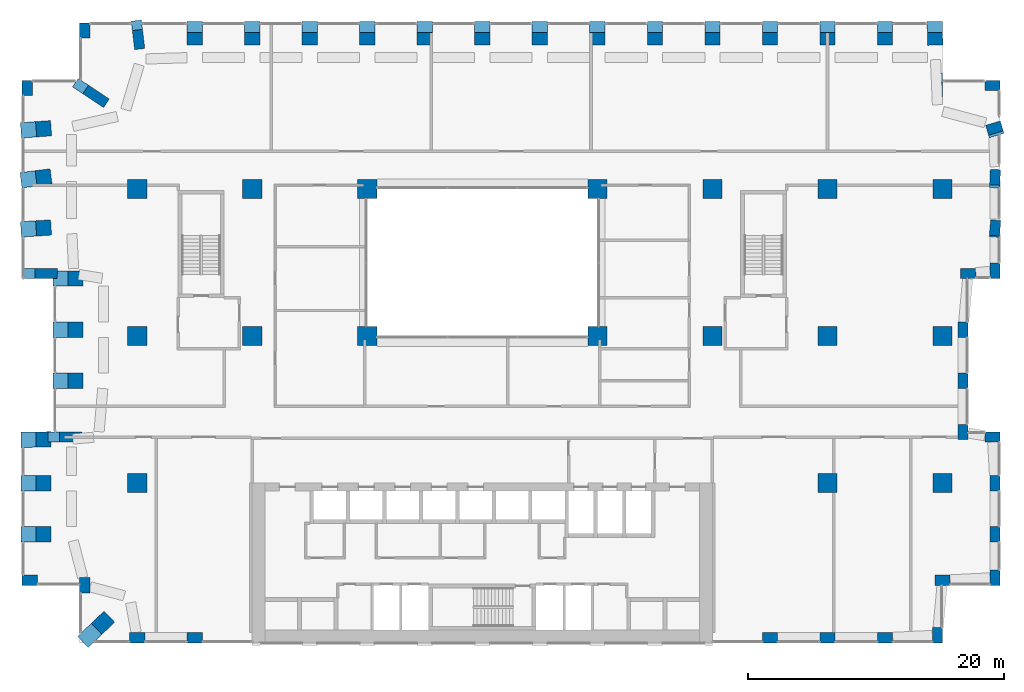
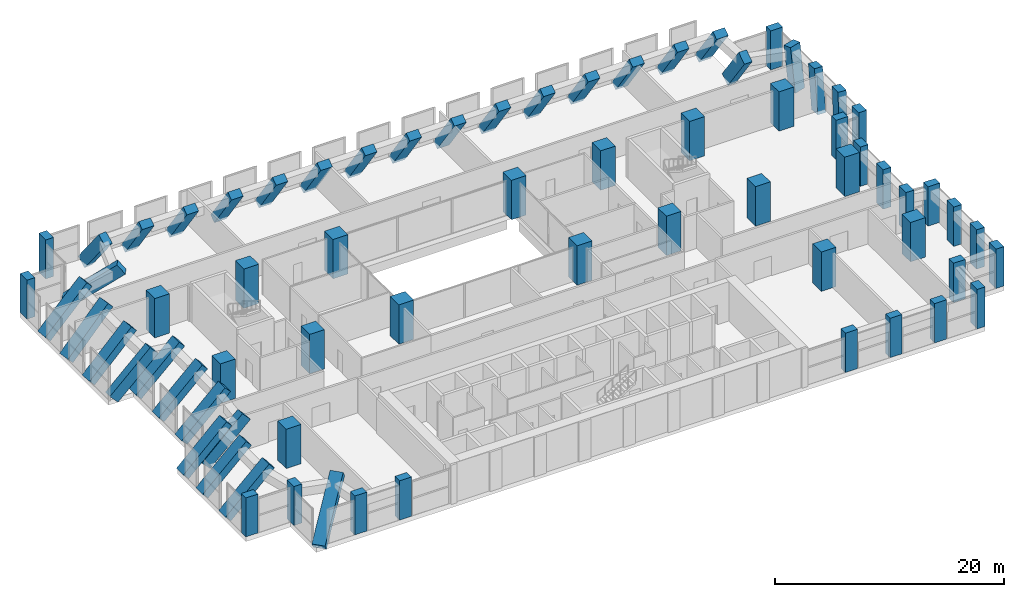
# One storey, part 1 of 20: 70 columns.
"""IFC4 building model written with IfcOpenShell, lengths in metres."""

from ifc_helpers import new_model, si_unit, direction, frame, origin, origin_2d, place, context, subcontext, project, spatial, rectangle, extrude, material, material_profile, profile_set, type_object, element, save


model = new_model("IFC4")

# Units and contexts
model_context = context("Model", 3, precision=1e-05, world=origin(), true_north=direction((0.0, 1.0)))
body_context = subcontext(model_context, "Body", "Model", "MODEL_VIEW")
ifc_project = project(units=[si_unit("LENGTHUNIT", "METRE"), si_unit("AREAUNIT", "SQUARE_METRE"), si_unit("VOLUMEUNIT", "CUBIC_METRE"), si_unit("PLANEANGLEUNIT", "RADIAN"), si_unit("MASSUNIT", "GRAM", prefix="KILO")], contexts=[model_context])

# Site, building, storey
site_placement = place(None, origin())
site = spatial("IfcSite", under=ifc_project, at=site_placement, CompositionType="ELEMENT")
building_placement = place(site_placement, origin())
building = spatial("IfcBuilding", under=site, at=building_placement, Name="Brigalow Station Residences", CompositionType="ELEMENT")
storey_placement = place(building_placement, frame((0.0, 0.0, 73.050048828125)))
storey = spatial("IfcBuildingStorey", under=building, at=storey_placement, Name="L21", CompositionType="ELEMENT", Elevation=73.050048828125)

# Columns
ifc_material_1 = material(Name="Concrete C80", Category="concrete")
ifc_material_profile_1 = material_profile(ifc_material_1, rectangle(XDim=1.5, YDim=1.5, at=origin_2d()), Name="RC1500x1500")
ifc_profile_set_1 = profile_set([ifc_material_profile_1], Name="Concrete C80")
column_type_1 = type_object("IfcColumnType", Name="COLUMN 1500x1500 C80", PredefinedType="COLUMN", material=ifc_profile_set_1)
for number, where, z_axis, x_axis, name in (
    (1, (9.0, 24.0, 0.0), (0.0, 0.0, 1.0), (1.0, 0.0, 0.0), "COLUMN C1 L21"),
    (2, (18.0, 24.0, 0.0), (0.0, 0.0, 1.0), (1.0, 0.0, 0.0), "COLUMN C2 L21"),
    (3, (27.0, 24.0, 0.0), (0.0, 0.0, 1.0), (1.0, 0.0, 0.0), "COLUMN C3 L21"),
    (4, (45.0, 24.0, 0.0), (0.0, 0.0, 1.0), (1.0, 0.0, 0.0), "COLUMN C5 L21"),
    (5, (54.0, 24.0, 0.0), (0.0, 0.0, 1.0), (1.0, 0.0, 0.0), "COLUMN C6 L21"),
    (6, (63.0, 24.0, 0.0), (0.0, 0.0, 1.0), (1.0, 0.0, 0.0), "COLUMN C7 L21"),
    (7, (72.0, 24.0, 0.0), (0.0, 0.0, 1.0), (1.0, 0.0, 0.0), "COLUMN C8 L21"),
    (8, (9.0, 35.5, 0.0), (0.0, 0.0, 1.0), (1.0, 0.0, 0.0), "COLUMN D1 L21"),
    (9, (18.0, 35.5, 0.0), (0.0, 0.0, 1.0), (1.0, 0.0, 0.0), "COLUMN D2 L21"),
    (10, (27.0, 35.5, 0.0), (0.0, 0.0, 1.0), (1.0, 0.0, 0.0), "COLUMN D3 L21"),
    (11, (45.0, 35.5, 0.0), (0.0, 0.0, 1.0), (1.0, 0.0, 0.0), "COLUMN D5 L21"),
    (12, (54.0, 35.5, 0.0), (0.0, 0.0, 1.0), (1.0, 0.0, 0.0), "COLUMN D6 L21"),
    (13, (63.0, 35.5, 0.0), (0.0, 0.0, 1.0), (1.0, 0.0, 0.0), "COLUMN D7 L21"),
    (14, (72.0, 35.5, 0.0), (0.0, 0.0, 1.0), (1.0, 0.0, 0.0), "COLUMN D8 L21"),
    (15, (9.0, 12.5, 0.0), (0.0, 0.0, 1.0), (1.0, 0.0, 0.0), "COLUMN B1 L21"),
    (16, (63.0, 12.5, 0.0), (0.0, 0.0, 1.0), (1.0, 0.0, 0.0), "COLUMN B7 L21"),
    (17, (72.0, 12.5, 0.0), (0.0, 0.0, 1.0), (1.0, 0.0, 0.0), "COLUMN B8 L21"),
):
    element("IfcColumn", number, at=place(storey_placement, frame(where, z_axis=z_axis, x_axis=x_axis)), inside=storey, type_object=column_type_1, Name=name, PredefinedType="COLUMN", context=body_context, shape_type="SweptSolid", body=[
        extrude(rectangle(XDim=1.5, YDim=1.5, at=origin_2d()), origin(), (0.0, 0.0, 1.0), 4.199951171875),
    ])
ifc_material_2 = material(Name="Concrete C80", Category="concrete")
ifc_material_profile_2 = material_profile(ifc_material_2, rectangle(XDim=1.199951171875, YDim=0.800048828125, at=origin_2d()), Name="RC1200x800")
ifc_profile_set_2 = profile_set([ifc_material_profile_2], Name="Concrete C80")
column_type_2 = type_object("IfcColumnType", Name="KINK COLUMN 1200x800 C80", PredefinedType="USERDEFINED", material=ifc_profile_set_2)
column_1_placement = place(storey_placement, frame((76.097412109375, 32.34326171875, -0.456298828125), z_axis=(0.005913732337, 0.069380752599, 0.997572723634), x_axis=(-0.084721827764, -0.993968586445, 0.069632327703)))
element("IfcColumn", 18, at=column_1_placement, inside=storey, type_object=column_type_2, Name="KINK COLUMN E2-2 L21", ObjectType="KINK COLUMN", PredefinedType="USERDEFINED", context=body_context, shape_type="SweptSolid", body=[
    extrude(rectangle(XDim=1.199951171875, YDim=0.800048828125, at=origin_2d()), origin(), (0.0, 0.0, 1.0), 4.623779296875),
])
column_2_placement = place(storey_placement, frame((76.097412109375, 36.1923828125, -0.41552734375), z_axis=(0.00592434117, 0.137487413096, 0.990485796678), x_axis=(-0.042640526386, -0.989567531264, 0.137614994017)))
element("IfcColumn", 19, at=column_2_placement, inside=storey, type_object=column_type_2, Name="KINK COLUMN E2-3 L21", ObjectType="KINK COLUMN", PredefinedType="USERDEFINED", context=body_context, shape_type="SweptSolid", body=[
    extrude(rectangle(XDim=1.199951171875, YDim=0.800048828125, at=origin_2d()), origin(), (0.0, 0.0, 1.0), 4.57421875),
])
column_3_placement = place(storey_placement, frame((76.115966796875, 40.071533203125, -0.44873046875), z_axis=(-0.03541334361, 0.118149875556, 0.992364097497), x_axis=(-0.957896811564, -0.287112692851, 0.0)))
element("IfcColumn", 20, at=column_3_placement, inside=storey, type_object=column_type_2, Name="KINK COLUMN NE1-1 L21", ObjectType="KINK COLUMN", PredefinedType="USERDEFINED", context=body_context, shape_type="SweptSolid", body=[
    extrude(rectangle(XDim=1.199951171875, YDim=0.800048828125, at=origin_2d()), origin(), (0.0, 0.0, 1.0), 4.6328125),
])
column_4_placement = place(storey_placement, frame((71.59912109375, 44.106689453125, -0.149169921875), z_axis=(0.004819480051, -0.58126904247, 0.81369716288), x_axis=(-0.006746381053, 0.813669195202, 0.581289022021)))
element("IfcColumn", 21, at=column_4_placement, inside=storey, type_object=column_type_2, Name="KINK COLUMN NE2-1 L21", ObjectType="KINK COLUMN", PredefinedType="USERDEFINED", context=body_context, shape_type="SweptSolid", body=[
    extrude(rectangle(XDim=1.199951171875, YDim=0.800048828125, at=origin_2d()), origin(), (0.0, 0.0, 1.0), 4.913818359375),
])
column_5_placement = place(storey_placement, frame((71.396728515625, 48.2890625, -0.266845703125), z_axis=(0.009740500049, -0.577983391799, 0.815990392997), x_axis=(0.999858025844, 0.016850167821, 0.0)))
element("IfcColumn", 22, at=column_5_placement, inside=storey, type_object=column_type_2, Name="KINK COLUMN N-1 L21", ObjectType="KINK COLUMN", PredefinedType="USERDEFINED", context=body_context, shape_type="SweptSolid", body=[
    extrude(rectangle(XDim=1.199951171875, YDim=0.800048828125, at=origin_2d()), origin(), (0.0, 0.0, 1.0), 5.188232421875),
])
for number, where, z_axis, x_axis, name in (
    (23, (67.5, 48.2890625, -0.266845703125), (0.0, -0.578010812514, 0.816029105251), (1.0, 0.0, 0.0), "KINK COLUMN N-2 L21"),
    (24, (63.0, 48.2890625, -0.266845703125), (0.0, -0.578010812514, 0.816029105251), (1.0, 0.0, 0.0), "KINK COLUMN N-3 L21"),
    (25, (58.5, 48.2890625, -0.266845703125), (0.0, -0.578010812514, 0.816029105251), (1.0, 0.0, 0.0), "KINK COLUMN N-4 L21"),
    (26, (54.0, 48.2890625, -0.266845703125), (0.0, -0.578010812514, 0.816029105251), (1.0, 0.0, 0.0), "KINK COLUMN N-5 L21"),
    (27, (49.5, 48.2890625, -0.266845703125), (0.0, -0.578010812514, 0.816029105251), (1.0, 0.0, 0.0), "KINK COLUMN N-6 L21"),
    (28, (45.0, 48.2890625, -0.266845703125), (0.0, -0.578010812514, 0.816029105251), (1.0, 0.0, 0.0), "KINK COLUMN N-7 L21"),
    (29, (40.5, 48.2890625, -0.266845703125), (0.0, -0.578010812514, 0.816029105251), (1.0, 0.0, 0.0), "KINK COLUMN N-8 L21"),
    (30, (36.0, 48.2890625, -0.266845703125), (0.0, -0.578010812514, 0.816029105251), (1.0, 0.0, 0.0), "KINK COLUMN N-9 L21"),
    (31, (31.5, 48.2890625, -0.266845703125), (0.0, -0.578010812514, 0.816029105251), (1.0, 0.0, 0.0), "KINK COLUMN N-10 L21"),
    (32, (27.0, 48.2890625, -0.266845703125), (0.0, -0.578010812514, 0.816029105251), (1.0, 0.0, 0.0), "KINK COLUMN N-11 L21"),
    (33, (22.5, 48.2890625, -0.266845703125), (0.0, -0.578010812514, 0.816029105251), (1.0, 0.0, 0.0), "KINK COLUMN N-12 L21"),
    (34, (18.0, 48.2890625, -0.266845703125), (0.0, -0.578010812514, 0.816029105251), (1.0, 0.0, 0.0), "KINK COLUMN N-13 L21"),
    (35, (13.5, 48.2890625, -0.266845703125), (0.0, -0.578010812514, 0.816029105251), (1.0, 0.0, 0.0), "KINK COLUMN N-14 L21"),
):
    element("IfcColumn", number, at=place(storey_placement, frame(where, z_axis=z_axis, x_axis=x_axis)), inside=storey, type_object=column_type_2, Name=name, ObjectType="KINK COLUMN", PredefinedType="USERDEFINED", context=body_context, shape_type="SweptSolid", body=[
        extrude(rectangle(XDim=1.199951171875, YDim=0.800048828125, at=origin_2d()), origin(), (0.0, 0.0, 1.0), 5.18798828125),
    ])
column_6_placement = place(storey_placement, frame((8.98779296875, 48.202392578125, -0.136474609375), z_axis=(0.071249140855, -0.598482976001, 0.79796095604), x_axis=(-0.094330794696, 0.792365691166, 0.602709144311)))
element("IfcColumn", 36, at=column_6_placement, inside=storey, type_object=column_type_2, Name="KINK COLUMN NW1-1 L21", ObjectType="KINK COLUMN", PredefinedType="USERDEFINED", context=body_context, shape_type="SweptSolid", body=[
    extrude(rectangle(XDim=1.199951171875, YDim=0.800048828125, at=origin_2d()), origin(), (0.0, 0.0, 1.0), 4.978759765625),
])
column_7_placement = place(storey_placement, frame((4.4736328125, 43.617431640625, -0.024658203125), z_axis=(0.658200154177, -0.435132989545, 0.614354814787), x_axis=(-0.512488108257, 0.338803449432, 0.789029886347)))
element("IfcColumn", 37, at=column_7_placement, inside=storey, type_object=column_type_2, Name="KINK COLUMN NW2-1 L21", ObjectType="KINK COLUMN", PredefinedType="USERDEFINED", context=body_context, shape_type="SweptSolid", body=[
    extrude(rectangle(XDim=1.199951171875, YDim=0.800048828125, at=origin_2d()), origin(), (0.0, 0.0, 1.0), 6.102783203125),
])
column_8_placement = place(storey_placement, frame((0.180419921875, 40.109130859375, -0.2060546875), z_axis=(0.72813978941, 0.052867833813, 0.683386742062), x_axis=(-0.072416080757, 0.997374509022, 0.0)))
element("IfcColumn", 38, at=column_8_placement, inside=storey, type_object=column_type_2, Name="KINK COLUMN W2-1 L21", ObjectType="KINK COLUMN", PredefinedType="USERDEFINED", context=body_context, shape_type="SweptSolid", body=[
    extrude(rectangle(XDim=1.199951171875, YDim=0.800048828125, at=origin_2d()), origin(), (0.0, 0.0, 1.0), 6.01708984375),
])
column_9_placement = place(storey_placement, frame((0.181396484375, 36.221435546875, -0.205322265625), z_axis=(0.725881351267, 0.094569334257, 0.681287681454), x_axis=(-0.129190295435, 0.991619820075, 0.0)))
element("IfcColumn", 39, at=column_9_placement, inside=storey, type_object=column_type_2, Name="KINK COLUMN W2-2 L21", ObjectType="KINK COLUMN", PredefinedType="USERDEFINED", context=body_context, shape_type="SweptSolid", body=[
    extrude(rectangle(XDim=1.199951171875, YDim=0.800048828125, at=origin_2d()), origin(), (0.0, 0.0, 1.0), 6.033203125),
])
column_10_placement = place(storey_placement, frame((0.180419921875, 32.360595703125, -0.2060546875), z_axis=(0.728335596201, 0.047524851396, 0.683570514143), x_axis=(-0.065112840162, 0.997877907384, 0.0)))
element("IfcColumn", 40, at=column_10_placement, inside=storey, type_object=column_type_2, Name="KINK COLUMN W2-3 L21", ObjectType="KINK COLUMN", PredefinedType="USERDEFINED", context=body_context, shape_type="SweptSolid", body=[
    extrude(rectangle(XDim=1.199951171875, YDim=0.800048828125, at=origin_2d()), origin(), (0.0, 0.0, 1.0), 6.015625),
])
column_11_placement = place(storey_placement, frame((0.53466796875, 28.900390625, -0.061767578125), z_axis=(0.727229501578, -0.004075956346, 0.686382283144), x_axis=(-0.68637150257, 0.003846956532, 0.727240923894)))
element("IfcColumn", 41, at=column_11_placement, inside=storey, type_object=column_type_2, Name="KINK COLUMN WL1-1 L21", ObjectType="KINK COLUMN", PredefinedType="USERDEFINED", context=body_context, shape_type="SweptSolid", body=[
    extrude(rectangle(XDim=1.199951171875, YDim=0.800048828125, at=origin_2d()), origin(), (0.0, 0.0, 1.0), 5.570556640625),
])
for number, where, z_axis, x_axis, name in (
    (42, (2.68017578125, 28.5, -0.206298828125), (0.729157013752, 0.0, 0.684346439529), (0.0, 1.0, 0.0), "KINK COLUMN WL2-1 L21"),
    (43, (2.68017578125, 24.5, -0.206298828125), (0.729157013752, 0.0, 0.684346439529), (0.0, 1.0, 0.0), "KINK COLUMN WL2-2 L21"),
    (44, (2.68017578125, 20.5, -0.206298828125), (0.729157013752, 0.0, 0.684346439529), (0.0, 1.0, 0.0), "KINK COLUMN WL2-3 L21"),
):
    element("IfcColumn", number, at=place(storey_placement, frame(where, z_axis=z_axis, x_axis=x_axis)), inside=storey, type_object=column_type_2, Name=name, ObjectType="KINK COLUMN", PredefinedType="USERDEFINED", context=body_context, shape_type="SweptSolid", body=[
        extrude(rectangle(XDim=1.199951171875, YDim=0.800048828125, at=origin_2d()), origin(), (0.0, 0.0, 1.0), 6.009521484375),
    ])
column_12_placement = place(storey_placement, frame((2.436279296875, 16.099609375, -0.0595703125), z_axis=(0.731043450317, 0.004056748068, 0.682318852549), x_axis=(-0.682308347041, -0.00378630445, 0.7310547062)))
element("IfcColumn", 45, at=column_12_placement, inside=storey, type_object=column_type_2, Name="KINK COLUMN WL3-1 L21", ObjectType="KINK COLUMN", PredefinedType="USERDEFINED", context=body_context, shape_type="SweptSolid", body=[
    extrude(rectangle(XDim=1.199951171875, YDim=0.800048828125, at=origin_2d()), origin(), (0.0, 0.0, 1.0), 5.596923828125),
])
column_13_placement = place(storey_placement, frame((0.18017578125, 15.8974609375, -0.206298828125), z_axis=(0.729132704509, 0.008165571295, 0.684323624217), x_axis=(-0.011198317176, 0.99993729688, 0.0)))
element("IfcColumn", 46, at=column_13_placement, inside=storey, type_object=column_type_2, Name="KINK COLUMN W1-1 L21", ObjectType="KINK COLUMN", PredefinedType="USERDEFINED", context=body_context, shape_type="SweptSolid", body=[
    extrude(rectangle(XDim=1.199951171875, YDim=0.800048828125, at=origin_2d()), origin(), (0.0, 0.0, 1.0), 6.009765625),
])
for number, where, z_axis, x_axis, name in (
    (47, (0.18017578125, 12.5, -0.206298828125), (0.729157013752, 0.0, 0.684346439529), (0.0, 1.0, 0.0), "KINK COLUMN W1-2 L21"),
    (48, (0.18017578125, 8.5, -0.206298828125), (0.729157013752, 0.0, 0.684346439529), (0.0, 1.0, 0.0), "KINK COLUMN W1-3 L21"),
):
    element("IfcColumn", number, at=place(storey_placement, frame(where, z_axis=z_axis, x_axis=x_axis)), inside=storey, type_object=column_type_2, Name=name, ObjectType="KINK COLUMN", PredefinedType="USERDEFINED", context=body_context, shape_type="SweptSolid", body=[
        extrude(rectangle(XDim=1.199951171875, YDim=0.800048828125, at=origin_2d()), origin(), (0.0, 0.0, 1.0), 6.009521484375),
    ])
column_14_placement = place(storey_placement, frame((4.92529296875, 0.232421875, -0.171630859375), z_axis=(0.58874483324, 0.564646005754, 0.578406785507), x_axis=(-0.692181494987, 0.721723477516, 0.0)))
element("IfcColumn", 49, at=column_14_placement, inside=storey, type_object=column_type_2, Name="KINK COLUMN SW2-1 L21", ObjectType="KINK COLUMN", PredefinedType="USERDEFINED", context=body_context, shape_type="SweptSolid", body=[
    extrude(rectangle(XDim=1.199951171875, YDim=0.800048828125, at=origin_2d()), origin(), (0.0, 0.0, 1.0), 6.990234375),
])
ifc_material_3 = material(Name="Concrete C80", Category="concrete")
ifc_material_profile_3 = material_profile(ifc_material_3, rectangle(XDim=1.199951171875, YDim=0.800048828125, at=origin_2d()), Name="RC1200x800")
ifc_profile_set_3 = profile_set([ifc_material_profile_3], Name="Concrete C80")
column_type_3 = type_object("IfcColumnType", Name="PIER 1200x800 C80", PredefinedType="USERDEFINED", material=ifc_profile_set_3)
for number, where, z_axis, x_axis, name in (
    (50, (76.10009765625, 5.10009765625, 0.0), (0.0, 0.0, 1.0), (0.0, 1.0, 0.0), "PIER E1-1 L21"),
    (51, (76.10009765625, 8.5, 0.0), (0.0, 0.0, 1.0), (0.0, 1.0, 0.0), "PIER E1-2 L21"),
    (52, (76.10009765625, 12.5, 0.0), (0.0, 0.0, 1.0), (0.0, 1.0, 0.0), "PIER E1-3 L21"),
    (53, (76.10009765625, 29.10009765625, 0.0), (0.0, 0.0, 1.0), (0.0, 1.0, 0.0), "PIER E2-1 L21"),
    (54, (75.89990234375, 16.10009765625, 0.0), (0.0, 0.0, 1.0), (-1.0, 0.0, 0.0), "PIER EL1-1 L21"),
    (55, (73.60009765625, 16.5, 0.0), (0.0, 0.0, 1.0), (0.0, 1.0, 0.0), "PIER EL2-1 L21"),
    (56, (73.60009765625, 20.5, 0.0), (0.0, 0.0, 1.0), (0.0, 1.0, 0.0), "PIER EL2-2 L21"),
    (57, (73.60009765625, 24.5, 0.0), (0.0, 0.0, 1.0), (0.0, 1.0, 0.0), "PIER EL2-3 L21"),
    (58, (74.0, 28.89990234375, 0.0), (0.0, 0.0, 1.0), (1.0, 0.0, 0.0), "PIER EL3-1 L21"),
):
    element("IfcColumn", number, at=place(storey_placement, frame(where, z_axis=z_axis, x_axis=x_axis)), inside=storey, type_object=column_type_3, Name=name, ObjectType="PIER", PredefinedType="USERDEFINED", context=body_context, shape_type="SweptSolid", body=[
        extrude(rectangle(XDim=1.199951171875, YDim=0.800048828125, at=origin_2d()), origin(), (0.0, 0.0, 1.0), 4.199951171875),
    ])
for number, where, z_axis, x_axis, name in (
    (59, (75.89990234375, 43.60009765625, 0.0), (0.0, 0.0, 1.0), (-1.0, 0.0, 0.0), "PIER NE1-1 L21"),
    (60, (4.89990234375, 47.89990234375, 0.0), (0.0, 0.0, 1.0), (0.0, -1.0, 0.0), "PIER NW1-1 L21"),
):
    element("IfcColumn", number, at=place(storey_placement, frame(where, z_axis=z_axis, x_axis=x_axis)), inside=storey, type_object=column_type_3, Name=name, ObjectType="PIER", PredefinedType="USERDEFINED", context=body_context, shape_type="SweptSolid", body=[
        extrude(rectangle(XDim=1.199951171875, YDim=0.800048828125, at=origin_2d()), origin(), (0.0, 0.0, 1.0), 4.159912109375),
    ])
for number, where, z_axis, x_axis, name in (
    (61, (58.5, 0.39990234375, 0.0), (0.0, 0.0, 1.0), (1.0, 0.0, 0.0), "PIER S-13 L21"),
    (62, (63.0, 0.39990234375, 0.0), (0.0, 0.0, 1.0), (1.0, 0.0, 0.0), "PIER S-14 L21"),
    (63, (67.5, 0.39990234375, 0.0), (0.0, 0.0, 1.0), (1.0, 0.0, 0.0), "PIER S-15 L21"),
):
    element("IfcColumn", number, at=place(storey_placement, frame(where, z_axis=z_axis, x_axis=x_axis)), inside=storey, type_object=column_type_3, Name=name, ObjectType="PIER", PredefinedType="USERDEFINED", context=body_context, shape_type="SweptSolid", body=[
        extrude(rectangle(XDim=1.199951171875, YDim=0.800048828125, at=origin_2d()), origin(), (0.0, 0.0, 1.0), 4.199951171875),
    ])
column_15_placement = place(storey_placement, frame((9.0, 0.39990234375, 0.0), z_axis=(0.0, 0.0, 1.0), x_axis=(1.0, 0.0, 0.0)))
element("IfcColumn", 64, at=column_15_placement, inside=storey, type_object=column_type_3, Name="PIER S-2 L21", ObjectType="PIER", PredefinedType="USERDEFINED", context=body_context, shape_type="SweptSolid", body=[
    extrude(rectangle(XDim=1.199951171875, YDim=0.800048828125, at=origin_2d()), origin(), (0.0, 0.0, 1.0), 4.159912109375),
])
for number, where, z_axis, x_axis, name in (
    (65, (13.5, 0.39990234375, 0.0), (0.0, 0.0, 1.0), (1.0, 0.0, 0.0), "PIER S-3 L21"),
    (66, (71.60009765625, 0.60009765625, 0.0), (0.0, 0.0, 1.0), (0.0, 1.0, 0.0), "PIER SE1-1 L21"),
    (67, (72.0, 4.89990234375, 0.0), (0.0, 0.0, 1.0), (1.0, 0.0, 0.0), "PIER SE2-1 L21"),
):
    element("IfcColumn", number, at=place(storey_placement, frame(where, z_axis=z_axis, x_axis=x_axis)), inside=storey, type_object=column_type_3, Name=name, ObjectType="PIER", PredefinedType="USERDEFINED", context=body_context, shape_type="SweptSolid", body=[
        extrude(rectangle(XDim=1.199951171875, YDim=0.800048828125, at=origin_2d()), origin(), (0.0, 0.0, 1.0), 4.199951171875),
    ])
for number, where, z_axis, x_axis, name in (
    (68, (0.60009765625, 4.89990234375, 0.0), (0.0, 0.0, 1.0), (1.0, 0.0, 0.0), "PIER SW1-1 L21"),
    (69, (4.89990234375, 4.5, 0.0), (0.0, 0.0, 1.0), (0.0, -1.0, 0.0), "PIER SW2-1 L21"),
    (70, (0.39990234375, 43.39990234375, 0.0), (0.0, 0.0, 1.0), (0.0, -1.0, 0.0), "PIER W2-1 L21"),
):
    element("IfcColumn", number, at=place(storey_placement, frame(where, z_axis=z_axis, x_axis=x_axis)), inside=storey, type_object=column_type_3, Name=name, ObjectType="PIER", PredefinedType="USERDEFINED", context=body_context, shape_type="SweptSolid", body=[
        extrude(rectangle(XDim=1.199951171875, YDim=0.800048828125, at=origin_2d()), origin(), (0.0, 0.0, 1.0), 4.159912109375),
    ])

save(model, "model.ifc")
